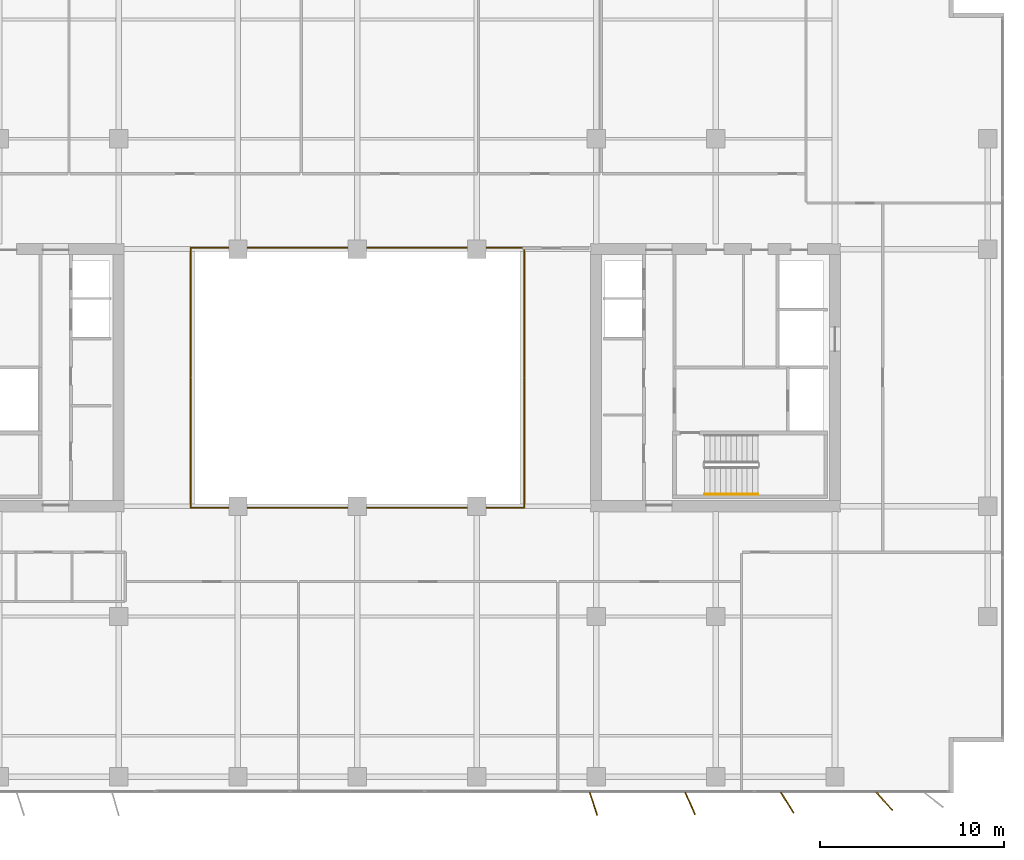
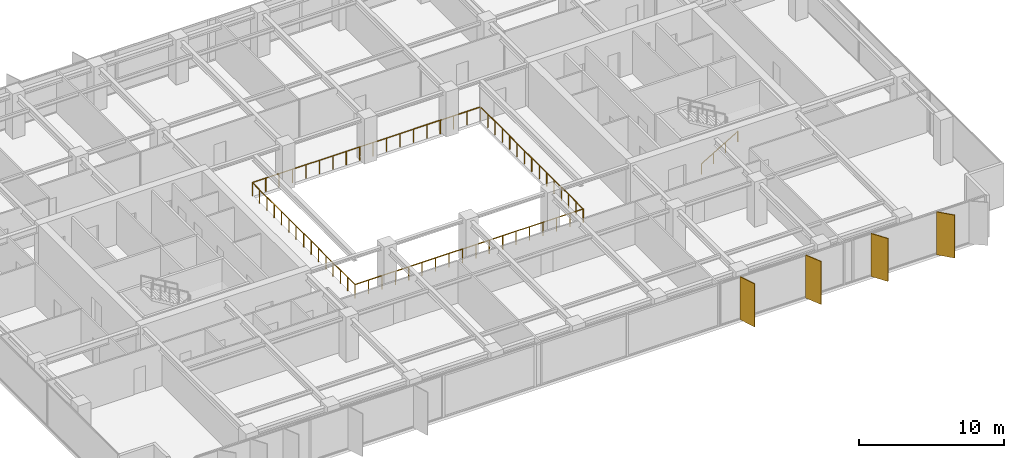
# One storey, part 20 of 22: 4 shading devices, 3 railings.
"""IFC4 building model written with IfcOpenShell, lengths in metres."""

from ifc_helpers import new_model, si_unit, direction, frame, origin, origin_2d, place, context, subcontext, project, spatial, rectangle, circle, extrude, material, layer, layer_set, type_object, element, save


model = new_model("IFC4")

# Units and contexts
model_context = context("Model", 3, precision=1e-05, world=origin(), true_north=direction((0.0, 1.0)))
body_context = subcontext(model_context, "Body", "Model", "MODEL_VIEW")
ifc_project = project(units=[si_unit("LENGTHUNIT", "METRE"), si_unit("AREAUNIT", "SQUARE_METRE"), si_unit("VOLUMEUNIT", "CUBIC_METRE"), si_unit("PLANEANGLEUNIT", "RADIAN"), si_unit("MASSUNIT", "GRAM", prefix="KILO")], contexts=[model_context])

# Site, building, storey
site_placement = place(None, origin())
site = spatial("IfcSite", under=ifc_project, at=site_placement, CompositionType="ELEMENT")
building_placement = place(site_placement, origin())
building = spatial("IfcBuilding", under=site, at=building_placement, Name="Putna Gate Headquarters", CompositionType="ELEMENT")
storey_placement = place(building_placement, frame((0.0, 0.0, 159.39990234375)))
storey = spatial("IfcBuildingStorey", under=building, at=storey_placement, Name="L39", CompositionType="ELEMENT", Elevation=159.39990234375)

# Railings
ifc_material_1 = material(Name="Anodised bronze and laminated glass atrium balustrade", Category="glass")
railing_type_1 = type_object("IfcRailingType", Name="RAIL-ATRIUM-GUARD-1150", PredefinedType="GUARDRAIL", material=ifc_material_1)
railing_1_placement = place(storey_placement, frame((29.919921875, 25.969970703125, 0.0)))
element("IfcRailing", 1, at=railing_1_placement, inside=storey, type_object=railing_type_1, Name="L39 Central Atrium Glazed Balustrade South", PredefinedType="GUARDRAIL", context=body_context, shape_type="SweptSolid", body=[
    extrude(circle(Radius=0.02392578125, at=origin_2d()), frame((0.0, 0.0, 1.1259765625), z_axis=(0.0, -1.0, 0.0), x_axis=(1.0, 0.0, 0.0)), (0.0, 0.0, 1.0), 7.050048828125),
    extrude(circle(Radius=0.02392578125, at=origin_2d()), frame((0.0, -7.050048828125, 1.1259765625), z_axis=(1.0, 0.0, 0.0), x_axis=(0.0, 1.0, 0.0)), (0.0, 0.0, 1.0), 18.16015625),
    extrude(circle(Radius=0.02392578125, at=origin_2d()), frame((18.16015625, -7.050048828125, 1.1259765625), z_axis=(0.0, 1.0, 0.0), x_axis=(-1.0, 0.0, 0.0)), (0.0, 0.0, 1.0), 7.050048828125),
    extrude(circle(Radius=0.02099609375, at=origin_2d()), origin(), (0.0, 0.0, 1.0), 1.101806640625),
    extrude(circle(Radius=0.02099609375, at=origin_2d()), frame((0.0, -1.007080078125, 0.0)), (0.0, 0.0, 1.0), 1.101806640625),
    extrude(circle(Radius=0.02099609375, at=origin_2d()), frame((0.0, -2.014404296875, 0.0)), (0.0, 0.0, 1.0), 1.101806640625),
    extrude(circle(Radius=0.02099609375, at=origin_2d()), frame((0.0, -3.021484375, 0.0)), (0.0, 0.0, 1.0), 1.101806640625),
    extrude(circle(Radius=0.02099609375, at=origin_2d()), frame((0.0, -4.028564453125, 0.0)), (0.0, 0.0, 1.0), 1.101806640625),
    extrude(circle(Radius=0.02099609375, at=origin_2d()), frame((0.0, -5.03564453125, 0.0)), (0.0, 0.0, 1.0), 1.101806640625),
    extrude(circle(Radius=0.02099609375, at=origin_2d()), frame((0.0, -6.04296875, 0.0)), (0.0, 0.0, 1.0), 1.101806640625),
    extrude(circle(Radius=0.02099609375, at=origin_2d()), frame((0.0, -7.050048828125, 0.0)), (0.0, 0.0, 1.0), 1.101806640625),
    extrude(circle(Radius=0.02099609375, at=origin_2d()), frame((1.068359375, -7.050048828125, 0.0)), (0.0, 0.0, 1.0), 1.101806640625),
    extrude(circle(Radius=0.02099609375, at=origin_2d()), frame((2.136474609375, -7.050048828125, 0.0)), (0.0, 0.0, 1.0), 1.101806640625),
    extrude(circle(Radius=0.02099609375, at=origin_2d()), frame((3.204833984375, -7.050048828125, 0.0)), (0.0, 0.0, 1.0), 1.101806640625),
    extrude(circle(Radius=0.02099609375, at=origin_2d()), frame((4.27294921875, -7.050048828125, 0.0)), (0.0, 0.0, 1.0), 1.101806640625),
    extrude(circle(Radius=0.02099609375, at=origin_2d()), frame((5.34130859375, -7.050048828125, 0.0)), (0.0, 0.0, 1.0), 1.101806640625),
    extrude(circle(Radius=0.02099609375, at=origin_2d()), frame((6.409423828125, -7.050048828125, 0.0)), (0.0, 0.0, 1.0), 1.101806640625),
    extrude(circle(Radius=0.02099609375, at=origin_2d()), frame((7.477783203125, -7.050048828125, 0.0)), (0.0, 0.0, 1.0), 1.101806640625),
    extrude(circle(Radius=0.02099609375, at=origin_2d()), frame((8.5458984375, -7.050048828125, 0.0)), (0.0, 0.0, 1.0), 1.101806640625),
    extrude(circle(Radius=0.02099609375, at=origin_2d()), frame((9.6142578125, -7.050048828125, 0.0)), (0.0, 0.0, 1.0), 1.101806640625),
    extrude(circle(Radius=0.02099609375, at=origin_2d()), frame((10.682373046875, -7.050048828125, 0.0)), (0.0, 0.0, 1.0), 1.101806640625),
    extrude(circle(Radius=0.02099609375, at=origin_2d()), frame((11.750732421875, -7.050048828125, 0.0)), (0.0, 0.0, 1.0), 1.101806640625),
    extrude(circle(Radius=0.02099609375, at=origin_2d()), frame((12.81884765625, -7.050048828125, 0.0)), (0.0, 0.0, 1.0), 1.101806640625),
    extrude(circle(Radius=0.02099609375, at=origin_2d()), frame((13.88720703125, -7.050048828125, 0.0)), (0.0, 0.0, 1.0), 1.101806640625),
    extrude(circle(Radius=0.02099609375, at=origin_2d()), frame((14.955322265625, -7.050048828125, 0.0)), (0.0, 0.0, 1.0), 1.101806640625),
    extrude(circle(Radius=0.02099609375, at=origin_2d()), frame((16.023681640625, -7.050048828125, 0.0)), (0.0, 0.0, 1.0), 1.101806640625),
    extrude(circle(Radius=0.02099609375, at=origin_2d()), frame((17.091796875, -7.050048828125, 0.0)), (0.0, 0.0, 1.0), 1.101806640625),
    extrude(circle(Radius=0.02099609375, at=origin_2d()), frame((18.16015625, -7.050048828125, 0.0)), (0.0, 0.0, 1.0), 1.101806640625),
    extrude(circle(Radius=0.02099609375, at=origin_2d()), frame((18.16015625, -6.04296875, 0.0)), (0.0, 0.0, 1.0), 1.101806640625),
    extrude(circle(Radius=0.02099609375, at=origin_2d()), frame((18.16015625, -5.03564453125, 0.0)), (0.0, 0.0, 1.0), 1.101806640625),
    extrude(circle(Radius=0.02099609375, at=origin_2d()), frame((18.16015625, -4.028564453125, 0.0)), (0.0, 0.0, 1.0), 1.101806640625),
    extrude(circle(Radius=0.02099609375, at=origin_2d()), frame((18.16015625, -3.021484375, 0.0)), (0.0, 0.0, 1.0), 1.101806640625),
    extrude(circle(Radius=0.02099609375, at=origin_2d()), frame((18.16015625, -2.014404296875, 0.0)), (0.0, 0.0, 1.0), 1.101806640625),
    extrude(circle(Radius=0.02099609375, at=origin_2d()), frame((18.16015625, -1.007080078125, 0.0)), (0.0, 0.0, 1.0), 1.101806640625),
    extrude(circle(Radius=0.02099609375, at=origin_2d()), frame((18.16015625, 0.0, 0.0)), (0.0, 0.0, 1.0), 1.101806640625),
])
railing_2_placement = place(storey_placement, frame((48.080078125, 26.030029296875, 0.0)))
element("IfcRailing", 2, at=railing_2_placement, inside=storey, type_object=railing_type_1, Name="L39 Central Atrium Glazed Balustrade North", PredefinedType="GUARDRAIL", context=body_context, shape_type="SweptSolid", body=[
    extrude(circle(Radius=0.02392578125, at=origin_2d()), frame((0.0, 0.0, 1.1259765625), z_axis=(0.0, 1.0, 0.0), x_axis=(-1.0, 0.0, 0.0)), (0.0, 0.0, 1.0), 7.050048828125),
    extrude(circle(Radius=0.02392578125, at=origin_2d()), frame((0.0, 7.050048828125, 1.1259765625), z_axis=(-1.0, 0.0, 0.0), x_axis=(0.0, -1.0, 0.0)), (0.0, 0.0, 1.0), 18.16015625),
    extrude(circle(Radius=0.02392578125, at=origin_2d()), frame((-18.16015625, 7.050048828125, 1.1259765625), z_axis=(0.0, -1.0, 0.0), x_axis=(1.0, 0.0, 0.0)), (0.0, 0.0, 1.0), 7.050048828125),
    extrude(circle(Radius=0.02099609375, at=origin_2d()), origin(), (0.0, 0.0, 1.0), 1.101806640625),
    extrude(circle(Radius=0.02099609375, at=origin_2d()), frame((0.0, 1.007080078125, 0.0)), (0.0, 0.0, 1.0), 1.101806640625),
    extrude(circle(Radius=0.02099609375, at=origin_2d()), frame((0.0, 2.014404296875, 0.0)), (0.0, 0.0, 1.0), 1.101806640625),
    extrude(circle(Radius=0.02099609375, at=origin_2d()), frame((0.0, 3.021484375, 0.0)), (0.0, 0.0, 1.0), 1.101806640625),
    extrude(circle(Radius=0.02099609375, at=origin_2d()), frame((0.0, 4.028564453125, 0.0)), (0.0, 0.0, 1.0), 1.101806640625),
    extrude(circle(Radius=0.02099609375, at=origin_2d()), frame((0.0, 5.03564453125, 0.0)), (0.0, 0.0, 1.0), 1.101806640625),
    extrude(circle(Radius=0.02099609375, at=origin_2d()), frame((0.0, 6.04296875, 0.0)), (0.0, 0.0, 1.0), 1.101806640625),
    extrude(circle(Radius=0.02099609375, at=origin_2d()), frame((0.0, 7.050048828125, 0.0)), (0.0, 0.0, 1.0), 1.101806640625),
    extrude(circle(Radius=0.02099609375, at=origin_2d()), frame((-1.068359375, 7.050048828125, 0.0)), (0.0, 0.0, 1.0), 1.101806640625),
    extrude(circle(Radius=0.02099609375, at=origin_2d()), frame((-2.136474609375, 7.050048828125, 0.0)), (0.0, 0.0, 1.0), 1.101806640625),
    extrude(circle(Radius=0.02099609375, at=origin_2d()), frame((-3.204833984375, 7.050048828125, 0.0)), (0.0, 0.0, 1.0), 1.101806640625),
    extrude(circle(Radius=0.02099609375, at=origin_2d()), frame((-4.27294921875, 7.050048828125, 0.0)), (0.0, 0.0, 1.0), 1.101806640625),
    extrude(circle(Radius=0.02099609375, at=origin_2d()), frame((-5.34130859375, 7.050048828125, 0.0)), (0.0, 0.0, 1.0), 1.101806640625),
    extrude(circle(Radius=0.02099609375, at=origin_2d()), frame((-6.409423828125, 7.050048828125, 0.0)), (0.0, 0.0, 1.0), 1.101806640625),
    extrude(circle(Radius=0.02099609375, at=origin_2d()), frame((-7.477783203125, 7.050048828125, 0.0)), (0.0, 0.0, 1.0), 1.101806640625),
    extrude(circle(Radius=0.02099609375, at=origin_2d()), frame((-8.5458984375, 7.050048828125, 0.0)), (0.0, 0.0, 1.0), 1.101806640625),
    extrude(circle(Radius=0.02099609375, at=origin_2d()), frame((-9.6142578125, 7.050048828125, 0.0)), (0.0, 0.0, 1.0), 1.101806640625),
    extrude(circle(Radius=0.02099609375, at=origin_2d()), frame((-10.682373046875, 7.050048828125, 0.0)), (0.0, 0.0, 1.0), 1.101806640625),
    extrude(circle(Radius=0.02099609375, at=origin_2d()), frame((-11.750732421875, 7.050048828125, 0.0)), (0.0, 0.0, 1.0), 1.101806640625),
    extrude(circle(Radius=0.02099609375, at=origin_2d()), frame((-12.81884765625, 7.050048828125, 0.0)), (0.0, 0.0, 1.0), 1.101806640625),
    extrude(circle(Radius=0.02099609375, at=origin_2d()), frame((-13.88720703125, 7.050048828125, 0.0)), (0.0, 0.0, 1.0), 1.101806640625),
    extrude(circle(Radius=0.02099609375, at=origin_2d()), frame((-14.955322265625, 7.050048828125, 0.0)), (0.0, 0.0, 1.0), 1.101806640625),
    extrude(circle(Radius=0.02099609375, at=origin_2d()), frame((-16.023681640625, 7.050048828125, 0.0)), (0.0, 0.0, 1.0), 1.101806640625),
    extrude(circle(Radius=0.02099609375, at=origin_2d()), frame((-17.091796875, 7.050048828125, 0.0)), (0.0, 0.0, 1.0), 1.101806640625),
    extrude(circle(Radius=0.02099609375, at=origin_2d()), frame((-18.16015625, 7.050048828125, 0.0)), (0.0, 0.0, 1.0), 1.101806640625),
    extrude(circle(Radius=0.02099609375, at=origin_2d()), frame((-18.16015625, 6.04296875, 0.0)), (0.0, 0.0, 1.0), 1.101806640625),
    extrude(circle(Radius=0.02099609375, at=origin_2d()), frame((-18.16015625, 5.03564453125, 0.0)), (0.0, 0.0, 1.0), 1.101806640625),
    extrude(circle(Radius=0.02099609375, at=origin_2d()), frame((-18.16015625, 4.028564453125, 0.0)), (0.0, 0.0, 1.0), 1.101806640625),
    extrude(circle(Radius=0.02099609375, at=origin_2d()), frame((-18.16015625, 3.021484375, 0.0)), (0.0, 0.0, 1.0), 1.101806640625),
    extrude(circle(Radius=0.02099609375, at=origin_2d()), frame((-18.16015625, 2.014404296875, 0.0)), (0.0, 0.0, 1.0), 1.101806640625),
    extrude(circle(Radius=0.02099609375, at=origin_2d()), frame((-18.16015625, 1.007080078125, 0.0)), (0.0, 0.0, 1.0), 1.101806640625),
    extrude(circle(Radius=0.02099609375, at=origin_2d()), frame((-18.16015625, 0.0, 0.0)), (0.0, 0.0, 1.0), 1.101806640625),
])
ifc_material_2 = material(Name="Brushed stainless steel handrail", Category="steel")
railing_type_2 = type_object("IfcRailingType", Name="RAIL-STAIR-HAND-900", PredefinedType="HANDRAIL", material=ifc_material_2)
railing_3_placement = place(storey_placement, frame((57.89990234375, 19.64990234375, 0.1728515625)))
element("IfcRailing", 3, at=railing_3_placement, inside=storey, type_object=railing_type_2, Name="L39 ST2 stair handrail 1", PredefinedType="HANDRAIL", context=body_context, shape_type="SweptSolid", body=[
    extrude(circle(Radius=0.02392578125, at=origin_2d()), frame((0.0, 0.0, 0.8759765625), z_axis=(0.859160404282, 0.0, 0.51170636083), x_axis=(0.0, 1.0, 0.0)), (0.0, 0.0, 1.0), 3.37548828125),
    extrude(circle(Radius=0.02099609375, at=origin_2d()), origin(), (0.0, 0.0, 1.0), 0.851806640625),
    extrude(circle(Radius=0.02099609375, at=origin_2d()), frame((0.966796875, 0.0, 0.57568359375)), (0.0, 0.0, 1.0), 0.851806640625),
    extrude(circle(Radius=0.02099609375, at=origin_2d()), frame((1.933349609375, 0.0, 1.151611328125)), (0.0, 0.0, 1.0), 0.851806640625),
    extrude(circle(Radius=0.02099609375, at=origin_2d()), frame((2.900146484375, 0.0, 1.727294921875)), (0.0, 0.0, 1.0), 0.851806640625),
])

# Shading devices
ifc_material_3 = material(Name="Anodised architectural bronze aluminium fin", Category="aluminium")
ifc_layer = layer(ifc_material_3, 0.06494140625)
ifc_layer_set = layer_set([ifc_layer], Name="Anodised architectural bronze aluminium fin")
shading_device_type = type_object("IfcShadingDeviceType", Name="SHADE-BRONZE-FIN-1320", PredefinedType="USERDEFINED", material=ifc_layer_set)
for number, where, z_axis, x_axis, name in (
    (4, (51.853759765625, 2.797119140625, -0.02001953125), (0.0, 0.0, 1.0), (0.308684994204, -0.951164325631, 0.0), "L39 Bronze Vertical Shading Fin S7"),
    (5, (57.114501953125, 2.8203125, -0.02001953125), (0.0, 0.0, 1.0), (0.400668879095, -0.916222925562, 0.0), "L39 Bronze Vertical Shading Fin S8"),
    (6, (62.400146484375, 2.865478515625, -0.02001953125), (0.0, 0.0, 1.0), (0.530659123936, -0.847585331506, 0.0), "L39 Bronze Vertical Shading Fin S9"),
    (7, (67.691650390625, 2.9345703125, -0.02001953125), (0.0, 0.0, 1.0), (0.669130606359, -0.743144825477, 0.0), "L39 Bronze Vertical Shading Fin S10"),
):
    element("IfcShadingDevice", number, at=place(storey_placement, frame(where, z_axis=z_axis, x_axis=x_axis)), inside=storey, type_object=shading_device_type, Name=name, ObjectType="FIN", PredefinedType="USERDEFINED", context=body_context, shape_type="SweptSolid", body=[
        extrude(rectangle(XDim=1.320068359375, YDim=0.06494140625, at=origin_2d()), origin(), (0.0, 0.0, 1.0), 3.612060546875),
    ])

save(model, "model.ifc")
